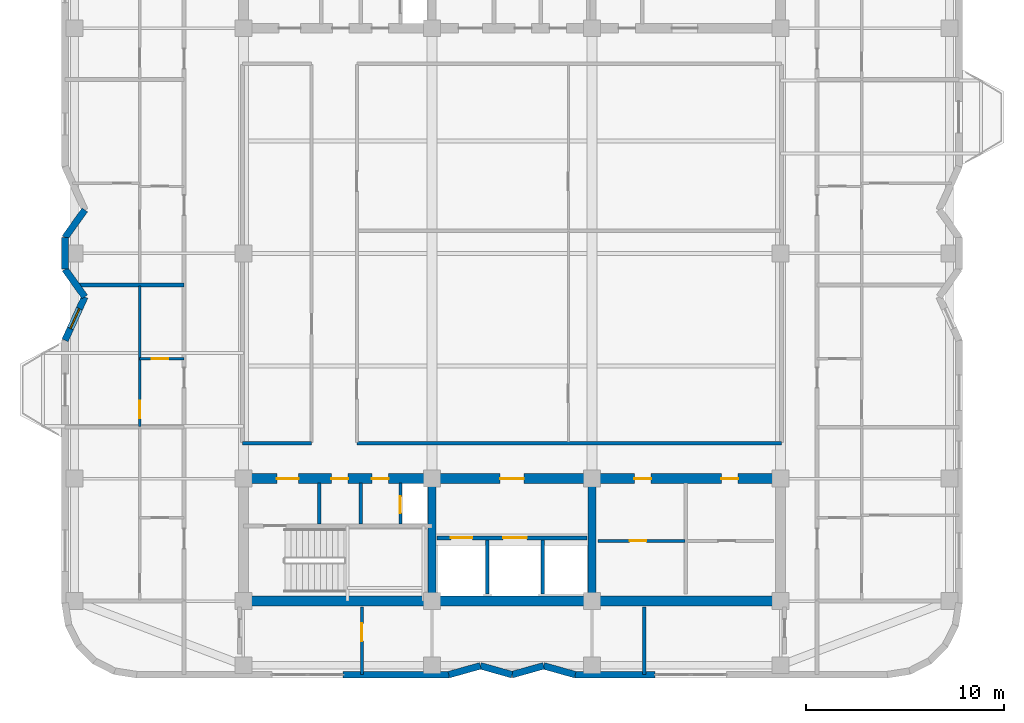
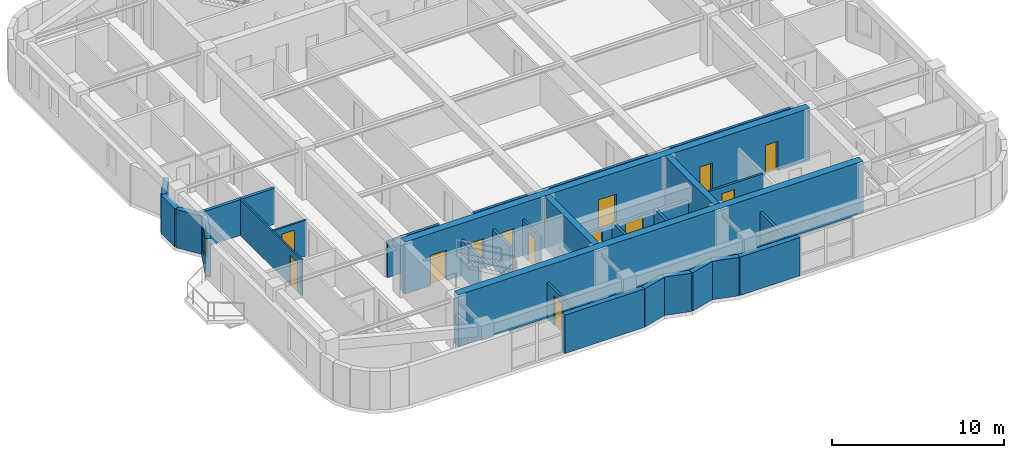
# One storey, part 8 of 14: 28 walls, 13 doors, 1 window, 14 openings.
"""IFC4 building model written with IfcOpenShell, lengths in metres."""

import ifcopenshell
import ifcopenshell.guid

model = None  # the IFC model being written
_history = None  # IfcOwnerHistory: only IFC2X3 demands one
_inside = {}  # id of a spatial element -> (the spatial element, [elements in it])
_under = {}  # id of a project, library or spatial element -> (it, [spatial elements below it])
_declared = {}  # id of a project -> (the project, [libraries it declares])
_typed = {}  # id of a type object -> (the type object, [elements of that type])
_made_of = {}  # id of a material, layer set ... -> (it, [elements and type objects made of it])


def new_model(schema):
    """Start an empty IFC model of exactly this schema.

    Asked for "IFC4X3", IfcOpenShell would pick the latest addendum, in which some entities
    have other attributes; the version numbers below select the first issue.
    IFC2X3 requires an IfcOwnerHistory on every rooted entity: one is made here for all.
    """
    global model, _history
    if schema == "IFC4X3":
        model = ifcopenshell.file(schema_version=(4, 3, 0, 0))
    else:
        model = ifcopenshell.file(schema=schema)
    _inside.clear()
    _under.clear()
    _declared.clear()
    _typed.clear()
    _made_of.clear()
    _history = None
    if model.schema == "IFC2X3":
        org = make("IfcOrganization", Name="unknown")
        user = make(
            "IfcPersonAndOrganization",
            ThePerson=make("IfcPerson", FamilyName="unknown"),
            TheOrganization=org,
        )
        app = make(
            "IfcApplication",
            ApplicationDeveloper=org,
            Version="unknown",
            ApplicationFullName="unknown",
            ApplicationIdentifier="unknown",
        )
        _history = make(
            "IfcOwnerHistory",
            OwningUser=user,
            OwningApplication=app,
            ChangeAction="ADDED",
            CreationDate=0,
        )
    return model


def make(cls, **values):
    """One entity of the class cls with the attributes given. An attribute that is None is left unset."""
    return model.create_entity(
        cls, **{name: value for name, value in values.items() if value is not None}
    )


def rooted(cls, **values):
    """An entity with a GlobalId (a new one), such as an element, a storey or a relation."""
    return make(cls, GlobalId=ifcopenshell.guid.new(), OwnerHistory=_history, **values)


def si_unit(unit_type, name, prefix=None):
    """IfcSIUnit, for example si_unit("LENGTHUNIT", "METRE", prefix="MILLI")."""
    return make("IfcSIUnit", UnitType=unit_type, Prefix=prefix, Name=name)


def assignment(units):
    """IfcUnitAssignment: the units of a project."""
    return None if units is None else make("IfcUnitAssignment", Units=units)


def point(xyz):
    """IfcCartesianPoint."""
    return None if xyz is None else make("IfcCartesianPoint", Coordinates=xyz)


def direction(xyz):
    """IfcDirection."""
    return None if xyz is None else make("IfcDirection", DirectionRatios=xyz)


def frame(location, z_axis=None, x_axis=None):
    """IfcAxis2Placement3D, a coordinate frame: its origin and axes. An axis left out is left unset."""
    return make(
        "IfcAxis2Placement3D",
        Location=point(location),
        Axis=direction(z_axis),
        RefDirection=direction(x_axis),
    )


def frame_2d(location, x_axis=None):
    """IfcAxis2Placement2D, a coordinate frame in the plane: its origin and x axis."""
    return make(
        "IfcAxis2Placement2D", Location=point(location), RefDirection=direction(x_axis)
    )


def origin():
    """The frame at (0, 0, 0) with its axes left unset."""
    return frame((0.0, 0.0, 0.0))


def place(relative_to, where):
    """IfcLocalPlacement: puts the frame where relative to a parent placement (None: the world)."""
    return make(
        "IfcLocalPlacement", PlacementRelTo=relative_to, RelativePlacement=where
    )


def context(
    kind, dimensions, precision=None, world=None, true_north=None, identifier=None
):
    """IfcGeometricRepresentationContext, for example the 3D "Model" context."""
    return make(
        "IfcGeometricRepresentationContext",
        ContextIdentifier=identifier,
        ContextType=kind,
        CoordinateSpaceDimension=dimensions,
        Precision=precision,
        WorldCoordinateSystem=world,
        TrueNorth=true_north,
    )


def subcontext(parent, identifier, kind, view, scale=None):
    """IfcGeometricRepresentationSubContext, for example "Body" below "Model"."""
    return make(
        "IfcGeometricRepresentationSubContext",
        ContextIdentifier=identifier,
        ContextType=kind,
        ParentContext=parent,
        TargetScale=scale,
        TargetView=view,
    )


def project(units=None, contexts=None):
    """IfcProject with its units and contexts."""
    return rooted(
        "IfcProject",
        Name="project",
        RepresentationContexts=contexts,
        UnitsInContext=assignment(units),
    )


def spatial(cls, under=None, at=None, **own):
    """A site, building, storey or space (cls), placed at a placement, below another one or the project."""
    s = rooted(cls, ObjectPlacement=at, **own)
    if under is not None:
        _under.setdefault(under.id(), (under, []))[1].append(s)
    return s


def profile(cls, at=None, kind="AREA", **sizes):
    """A parametric profile (cls). Its sizes go by their IFC names, for example OverallWidth=200.0."""
    return make(cls, ProfileType=kind, Position=at, **sizes)


def rectangle(**sizes):
    """IfcRectangleProfileDef."""
    return profile("IfcRectangleProfileDef", **sizes)


def extrude(swept, where, along, depth):
    """IfcExtrudedAreaSolid: the profile swept, set in the frame where, extruded along a direction by depth."""
    return make(
        "IfcExtrudedAreaSolid",
        SweptArea=swept,
        Position=where,
        ExtrudedDirection=direction(along),
        Depth=depth,
    )


def shape(context_of_items, identifier, shape_type, items):
    """IfcShapeRepresentation: the items that make up one representation, for example the "Body"."""
    return make(
        "IfcShapeRepresentation",
        ContextOfItems=context_of_items,
        RepresentationIdentifier=identifier,
        RepresentationType=shape_type,
        Items=items,
    )


def material(Name=None, Category=None):
    """IfcMaterial."""
    return make("IfcMaterial", Name=Name, Category=Category)


def layer(
    of_material, thickness, ventilated=None, Name=None, Category=None, Priority=None
):
    """IfcMaterialLayer: one layer of a wall or slab, of a material (None: an air gap)."""
    return make(
        "IfcMaterialLayer",
        Material=of_material,
        LayerThickness=thickness,
        IsVentilated=ventilated,
        Name=Name,
        Category=Category,
        Priority=Priority,
    )


def layer_set(layers, Name=None):
    """IfcMaterialLayerSet."""
    return make("IfcMaterialLayerSet", MaterialLayers=layers, LayerSetName=Name)


def made_of(thing, what):
    """Note that an element or type object is made of a material, layer set ...; save() writes the relation."""
    if what is not None:
        _made_of.setdefault(what.id(), (what, []))[1].append(thing)
    return thing


def type_object(cls, material=None, **own):
    """A type object (cls), such as IfcWallType, which elements share."""
    return made_of(rooted(cls, **own), material)


def element(
    cls,
    number,
    at=None,
    inside=None,
    cuts=None,
    type_object=None,
    material=None,
    context=None,
    identifier="Body",
    shape_type=None,
    held_by="IfcProductDefinitionShape",
    body=None,
    shapes=None,
    **own,
):
    """One element of the class cls, such as IfcWall. Its Tag is "e" and its number.

    at: its placement. inside: the storey or other place that contains it. cuts: it is an
    opening in that element (IfcRelVoidsElement). A single representation is given by context,
    identifier, shape_type and body (its items); several are given by shapes. held_by: the class
    of the entity that holds the representations. save() writes the other relations.
    """
    e = rooted(cls, Tag="e%d" % number, ObjectPlacement=at, **own)
    if body is not None:
        shapes = [shape(context, identifier, shape_type, body)]
    if shapes is not None:
        e.Representation = make(held_by, Representations=shapes)
    if inside is not None:
        _inside.setdefault(inside.id(), (inside, []))[1].append(e)
    if cuts is not None:
        rooted(
            "IfcRelVoidsElement", RelatingBuildingElement=cuts, RelatedOpeningElement=e
        )
    if type_object is not None:
        _typed.setdefault(type_object.id(), (type_object, []))[1].append(e)
    return made_of(e, material)


def fill(opening, filler):
    """IfcRelFillsElement: the door or window that sits in an opening."""
    return rooted(
        "IfcRelFillsElement",
        RelatingOpeningElement=opening,
        RelatedBuildingElement=filler,
    )


def aggregate(whole, parts):
    """IfcRelAggregates: a whole, such as a stair, and the parts it consists of."""
    return rooted("IfcRelAggregates", RelatingObject=whole, RelatedObjects=parts)


def save(model, path):
    """Write the relations noted so far, then the file.

    IfcRelAggregates (storeys below a building ...), IfcRelContainedInSpatialStructure (elements
    in a storey), IfcRelDefinesByType, IfcRelAssociatesMaterial and IfcRelDeclares: one each for
    every whole, place, type object, material and project.
    """
    for whole, parts in _under.values():
        aggregate(whole, parts)
    for where, things in _inside.values():
        rooted(
            "IfcRelContainedInSpatialStructure",
            RelatedElements=things,
            RelatingStructure=where,
        )
    for kind, things in _typed.values():
        rooted("IfcRelDefinesByType", RelatedObjects=things, RelatingType=kind)
    for what, things in _made_of.values():
        rooted("IfcRelAssociatesMaterial", RelatedObjects=things, RelatingMaterial=what)
    for by, libraries in _declared.values():
        rooted("IfcRelDeclares", RelatingContext=by, RelatedDefinitions=libraries)
    model.write(path)


model = new_model("IFC4")

# Units and contexts
model_context = context("Model", 3, precision=1e-05, world=origin(), true_north=direction((0.0, 1.0)))
body_context = subcontext(model_context, "Body", "Model", "MODEL_VIEW")
ifc_project = project(units=[si_unit("LENGTHUNIT", "METRE"), si_unit("AREAUNIT", "SQUARE_METRE"), si_unit("VOLUMEUNIT", "CUBIC_METRE"), si_unit("PLANEANGLEUNIT", "RADIAN"), si_unit("MASSUNIT", "GRAM", prefix="KILO")], contexts=[model_context])

# Site, building, storey
site_placement = place(None, origin())
site = spatial("IfcSite", under=ifc_project, at=site_placement, CompositionType="ELEMENT")
building_placement = place(site_placement, origin())
building = spatial("IfcBuilding", under=site, at=building_placement, Name="Svetorya Sky Lyceum", CompositionType="ELEMENT")
storey_placement = place(building_placement, frame((0.0, 0.0, 218.39990234375)))
storey = spatial("IfcBuildingStorey", under=building, at=storey_placement, Name="L54", CompositionType="ELEMENT", Elevation=218.39990234375)

# Walls
ifc_material_1 = material(Name="Concrete C40/50", Category="concrete")
ifc_layer_1 = layer(ifc_material_1, 0.39990234375)
ifc_layer_set_1 = layer_set([ifc_layer_1], Name="Concrete C40/50")
wall_type_1 = type_object("IfcWallType", Name="WL-CORE-400", PredefinedType="SHEAR", material=ifc_layer_set_1)
for number, where, z_axis, x_axis, name in (
    (1, (35.14990234375, 10.85009765625, 0.0), (0.0, 0.0, 1.0), (0.0, 1.0, 0.0), "L54 SC Internal Shear Web WEB1"),
    (2, (43.25, 10.85009765625, 0.0), (0.0, 0.0, 1.0), (0.0, 1.0, 0.0), "L54 SC Internal Shear Web WEB2"),
):
    element("IfcWall", number, at=place(storey_placement, frame(where, z_axis=z_axis, x_axis=x_axis)), inside=storey, type_object=wall_type_1, Name=name, PredefinedType="SHEAR", context=body_context, shape_type="SweptSolid", body=[
        extrude(rectangle(XDim=5.699951171875, YDim=0.39990234375, at=frame_2d((2.85009765625, 0.0))), origin(), (0.0, 0.0, 1.0), 3.7001953125),
    ])
ifc_material_2 = material(Name="Concrete C50/60", Category="concrete")
ifc_layer_2 = layer(ifc_material_2, 0.5)
ifc_layer_set_2 = layer_set([ifc_layer_2], Name="Concrete C50/60")
wall_type_2 = type_object("IfcWallType", Name="WL-CORE-500", PredefinedType="SHEAR", material=ifc_layer_set_2)
wall_1_placement = place(storey_placement, frame((52.800048828125, 10.60009765625, 0.0), z_axis=(0.0, 0.0, 1.0), x_axis=(-1.0, 0.0, 0.0)))
element("IfcWall", 3, at=wall_1_placement, inside=storey, type_object=wall_type_2, Name="L54 SC Outer Core Shear Wall", PredefinedType="SHEAR", context=body_context, shape_type="SweptSolid", body=[
    extrude(rectangle(XDim=27.199951171875, YDim=0.5, at=frame_2d((13.60009765625, 0.0))), origin(), (0.0, 0.0, 1.0), 3.7001953125),
])

# Wall, openings, doors
wall_2_placement = place(storey_placement, frame((25.60009765625, 16.800048828125, 0.0), z_axis=(0.0, 0.0, 1.0), x_axis=(1.0, 0.0, 0.0)))
wall_2 = element("IfcWall", 4, at=wall_2_placement, inside=storey, type_object=wall_type_2, Name="L54 SC Inner Core Shear Wall", PredefinedType="SHEAR", context=body_context, shape_type="SweptSolid", body=[
    extrude(rectangle(XDim=27.199951171875, YDim=0.5, at=frame_2d((13.60009765625, 0.0))), origin(), (0.0, 0.0, 1.0), 3.7001953125),
])
opening_1_placement = place(wall_2_placement, frame((1.699951171875, 0.0, 0.0)))
opening_1 = element("IfcOpeningElement", 5, at=opening_1_placement, cuts=wall_2, Name="Opening D-ST1", PredefinedType="OPENING", context=body_context, shape_type="SweptSolid", body=[
    extrude(rectangle(XDim=1.10009765625, YDim=2.14990234375, at=frame_2d((0.550048828125, 1.074951171875))), frame((0.0, 0.260009765625, 0.0), z_axis=(0.0, -1.0, 0.0), x_axis=(1.0, 0.0, 0.0)), (0.0, 0.0, 1.0), 0.52001953125),
])
opening_2_placement = place(wall_2_placement, frame((4.449951171875, 0.0, 0.0)))
opening_2 = element("IfcOpeningElement", 6, at=opening_2_placement, cuts=wall_2, Name="Opening D-CWC1", PredefinedType="OPENING", context=body_context, shape_type="SweptSolid", body=[
    extrude(rectangle(XDim=0.85009765625, YDim=2.10009765625, at=frame_2d((0.425048828125, 1.050048828125))), frame((0.0, 0.260009765625, 0.0), z_axis=(0.0, -1.0, 0.0), x_axis=(1.0, 0.0, 0.0)), (0.0, 0.0, 1.0), 0.52001953125),
])
opening_3_placement = place(wall_2_placement, frame((6.5, 0.0, 0.0)))
opening_3 = element("IfcOpeningElement", 7, at=opening_3_placement, cuts=wall_2, Name="Opening D-CWC1", PredefinedType="OPENING", context=body_context, shape_type="SweptSolid", body=[
    extrude(rectangle(XDim=0.85009765625, YDim=2.10009765625, at=frame_2d((0.425048828125, 1.050048828125))), frame((0.0, 0.260009765625, 0.0), z_axis=(0.0, -1.0, 0.0), x_axis=(1.0, 0.0, 0.0)), (0.0, 0.0, 1.0), 0.52001953125),
])
opening_4_placement = place(wall_2_placement, frame((13.0, 0.0, 0.0)))
opening_4 = element("IfcOpeningElement", 8, at=opening_4_placement, cuts=wall_2, Name="Opening D-FL1", PredefinedType="OPENING", context=body_context, shape_type="SweptSolid", body=[
    extrude(rectangle(XDim=1.199951171875, YDim=2.14990234375, at=frame_2d((0.60009765625, 1.074951171875))), frame((0.0, 0.260009765625, 0.0), z_axis=(0.0, -1.0, 0.0), x_axis=(1.0, 0.0, 0.0)), (0.0, 0.0, 1.0), 0.52001953125),
])
opening_5_placement = place(wall_2_placement, frame((19.800048828125, 0.0, 0.0)))
opening_5 = element("IfcOpeningElement", 9, at=opening_5_placement, cuts=wall_2, Name="Opening D-CWC1", PredefinedType="OPENING", context=body_context, shape_type="SweptSolid", body=[
    extrude(rectangle(XDim=0.85009765625, YDim=2.10009765625, at=frame_2d((0.425048828125, 1.050048828125))), frame((0.0, 0.260009765625, 0.0), z_axis=(0.0, -1.0, 0.0), x_axis=(1.0, 0.0, 0.0)), (0.0, 0.0, 1.0), 0.52001953125),
])
opening_6_placement = place(wall_2_placement, frame((24.199951171875, 0.0, 0.0)))
opening_6 = element("IfcOpeningElement", 10, at=opening_6_placement, cuts=wall_2, Name="Opening D-CWC1", PredefinedType="OPENING", context=body_context, shape_type="SweptSolid", body=[
    extrude(rectangle(XDim=0.85009765625, YDim=2.10009765625, at=frame_2d((0.425048828125, 1.050048828125))), frame((0.0, 0.260009765625, 0.0), z_axis=(0.0, -1.0, 0.0), x_axis=(1.0, 0.0, 0.0)), (0.0, 0.0, 1.0), 0.52001953125),
])
ifc_material_3 = material(Name="Fire-rated galvanized steel core service closet door", Category="steel")
door_type_1 = type_object("IfcDoorType", Name="DR-CWET-850", OperationType="SINGLE_SWING_LEFT", PredefinedType="DOOR", material=ifc_material_3)
door_1_placement = place(opening_2_placement, origin())
door_1 = element("IfcDoor", 11, at=door_1_placement, inside=storey, type_object=door_type_1, Name="L54 South Mop Closet Door", OperationType="SINGLE_SWING_LEFT", OverallHeight=2.10009765625, OverallWidth=0.85009765625, PredefinedType="DOOR", context=body_context, shape_type="SweptSolid", body=[
    extrude(rectangle(XDim=0.85009765625, YDim=2.10009765625, at=frame_2d((0.425048828125, 1.050048828125))), frame((0.0, 0.02490234375, 0.0), z_axis=(0.0, -1.0, 0.0), x_axis=(1.0, 0.0, 0.0)), (0.0, 0.0, 1.0), 0.050048828125),
])
fill(opening_2, door_1)
door_2_placement = place(opening_3_placement, origin())
door_2 = element("IfcDoor", 12, at=door_2_placement, inside=storey, type_object=door_type_1, Name="L54 South West WC Door", OperationType="SINGLE_SWING_RIGHT", OverallHeight=2.10009765625, OverallWidth=0.85009765625, PredefinedType="DOOR", context=body_context, shape_type="SweptSolid", body=[
    extrude(rectangle(XDim=0.85009765625, YDim=2.10009765625, at=frame_2d((0.425048828125, 1.050048828125))), frame((0.0, 0.02490234375, 0.0), z_axis=(0.0, -1.0, 0.0), x_axis=(1.0, 0.0, 0.0)), (0.0, 0.0, 1.0), 0.050048828125),
])
fill(opening_3, door_2)
door_3_placement = place(opening_5_placement, origin())
door_3 = element("IfcDoor", 13, at=door_3_placement, inside=storey, type_object=door_type_1, Name="L54 Housekeeping Door", OperationType="SINGLE_SWING_LEFT", OverallHeight=2.10009765625, OverallWidth=0.85009765625, PredefinedType="DOOR", context=body_context, shape_type="SweptSolid", body=[
    extrude(rectangle(XDim=0.85009765625, YDim=2.10009765625, at=frame_2d((0.425048828125, 1.050048828125))), frame((0.0, 0.02490234375, 0.0), z_axis=(0.0, -1.0, 0.0), x_axis=(1.0, 0.0, 0.0)), (0.0, 0.0, 1.0), 0.050048828125),
])
fill(opening_5, door_3)
door_4_placement = place(opening_6_placement, origin())
door_4 = element("IfcDoor", 14, at=door_4_placement, inside=storey, type_object=door_type_1, Name="L54 South WC Door", OperationType="SINGLE_SWING_RIGHT", OverallHeight=2.10009765625, OverallWidth=0.85009765625, PredefinedType="DOOR", context=body_context, shape_type="SweptSolid", body=[
    extrude(rectangle(XDim=0.85009765625, YDim=2.10009765625, at=frame_2d((0.425048828125, 1.050048828125))), frame((0.0, 0.02490234375, 0.0), z_axis=(0.0, -1.0, 0.0), x_axis=(1.0, 0.0, 0.0)), (0.0, 0.0, 1.0), 0.050048828125),
])
fill(opening_6, door_4)
ifc_material_4 = material(Name="Powder-coated insulated galvanized stair fire door")
door_type_2 = type_object("IfcDoorType", Name="DR-FIRE-1100", OperationType="SINGLE_SWING_LEFT", PredefinedType="DOOR", material=ifc_material_4)
door_5_placement = place(opening_1_placement, origin())
door_5 = element("IfcDoor", 15, at=door_5_placement, inside=storey, type_object=door_type_2, Name="L54 South Stair Airlock Door", OperationType="SINGLE_SWING_RIGHT", OverallHeight=2.14990234375, OverallWidth=1.10009765625, PredefinedType="DOOR", context=body_context, shape_type="SweptSolid", body=[
    extrude(rectangle(XDim=1.10009765625, YDim=2.14990234375, at=frame_2d((0.550048828125, 1.074951171875))), frame((0.0, 0.02490234375, 0.0), z_axis=(0.0, -1.0, 0.0), x_axis=(1.0, 0.0, 0.0)), (0.0, 0.0, 1.0), 0.050048828125),
])
fill(opening_1, door_5)
ifc_material_5 = material(Name="Powder-coated insulated galvanized fire door")
door_type_3 = type_object("IfcDoorType", Name="DR-FIRE-1200", OperationType="SINGLE_SWING_LEFT", PredefinedType="DOOR", material=ifc_material_5)
door_6_placement = place(opening_4_placement, origin())
door_6 = element("IfcDoor", 16, at=door_6_placement, inside=storey, type_object=door_type_3, Name="L54 South Firefighting Lift Lobby Door", OperationType="SINGLE_SWING_LEFT", OverallHeight=2.14990234375, OverallWidth=1.199951171875, PredefinedType="DOOR", context=body_context, shape_type="SweptSolid", body=[
    extrude(rectangle(XDim=1.199951171875, YDim=2.14990234375, at=frame_2d((0.60009765625, 1.074951171875))), frame((0.0, 0.02490234375, 0.0), z_axis=(0.0, -1.0, 0.0), x_axis=(1.0, 0.0, 0.0)), (0.0, 0.0, 1.0), 0.050048828125),
])
fill(opening_4, door_6)

# Walls
ifc_material_6 = material(Name="Putilovo limestone rainscreen on autoclaved cellular masonry", Category="masonry")
ifc_layer_3 = layer(ifc_material_6, 0.340087890625)
ifc_layer_set_3 = layer_set([ifc_layer_3], Name="Putilovo limestone rainscreen on autoclaved cellular masonry")
wall_type_3 = type_object("IfcWallType", Name="WL-EXT-340", PredefinedType="SOLIDWALL", material=ifc_layer_set_3)
wall_3_placement = place(storey_placement, frame((30.64990234375, 6.8701171875, 0.0), z_axis=(0.0, 0.0, 1.0), x_axis=(1.0, 0.0, 0.0)))
element("IfcWall", 17, at=wall_3_placement, inside=storey, type_object=wall_type_3, Name="L54 Limestone Exterior Wall 6B", PredefinedType="SOLIDWALL", context=body_context, shape_type="SweptSolid", body=[
    extrude(rectangle(XDim=5.35009765625, YDim=0.340087890625, at=frame_2d((2.675048828125, 0.0))), origin(), (0.0, 0.0, 1.0), 2.72021484375),
])
wall_4_placement = place(storey_placement, frame((36.0, 6.8701171875, 0.0), z_axis=(0.0, 0.0, 1.0), x_axis=(0.962662902433, 0.270703040766, 0.0)))
element("IfcWall", 18, at=wall_4_placement, inside=storey, type_object=wall_type_3, Name="L54 Limestone Exterior Wall 7M", PredefinedType="SOLIDWALL", context=body_context, shape_type="SweptSolid", body=[
    extrude(rectangle(XDim=1.662109375, YDim=0.340087890625, at=frame_2d((0.8310546875, 0.0))), origin(), (0.0, 0.0, 1.0), 2.72021484375),
])
wall_5_placement = place(storey_placement, frame((37.60009765625, 7.320068359375, 0.0), z_axis=(0.0, 0.0, 1.0), x_axis=(0.962652136636, -0.270741322725, 0.0)))
element("IfcWall", 19, at=wall_5_placement, inside=storey, type_object=wall_type_3, Name="L54 Limestone Exterior Wall 8M", PredefinedType="SOLIDWALL", context=body_context, shape_type="SweptSolid", body=[
    extrude(rectangle(XDim=1.661865234375, YDim=0.340087890625, at=frame_2d((0.8310546875, 0.0))), origin(), (0.0, 0.0, 1.0), 2.72021484375),
])
wall_6_placement = place(storey_placement, frame((39.199951171875, 6.8701171875, 0.0), z_axis=(0.0, 0.0, 1.0), x_axis=(0.962662902433, 0.270703040766, 0.0)))
element("IfcWall", 20, at=wall_6_placement, inside=storey, type_object=wall_type_3, Name="L54 Limestone Exterior Wall 9M", PredefinedType="SOLIDWALL", context=body_context, shape_type="SweptSolid", body=[
    extrude(rectangle(XDim=1.662109375, YDim=0.340087890625, at=frame_2d((0.8310546875, 0.0))), origin(), (0.0, 0.0, 1.0), 2.72021484375),
])
wall_7_placement = place(storey_placement, frame((40.800048828125, 7.320068359375, 0.0), z_axis=(0.0, 0.0, 1.0), x_axis=(0.962652136636, -0.270741322725, 0.0)))
element("IfcWall", 21, at=wall_7_placement, inside=storey, type_object=wall_type_3, Name="L54 Limestone Exterior Wall 10M", PredefinedType="SOLIDWALL", context=body_context, shape_type="SweptSolid", body=[
    extrude(rectangle(XDim=1.661865234375, YDim=0.340087890625, at=frame_2d((0.8310546875, 0.0))), origin(), (0.0, 0.0, 1.0), 2.72021484375),
])
wall_8_placement = place(storey_placement, frame((42.39990234375, 6.8701171875, 0.0), z_axis=(0.0, 0.0, 1.0), x_axis=(1.0, 0.0, 0.0)))
element("IfcWall", 22, at=wall_8_placement, inside=storey, type_object=wall_type_3, Name="L54 Limestone Exterior Wall 11A", PredefinedType="SOLIDWALL", context=body_context, shape_type="SweptSolid", body=[
    extrude(rectangle(XDim=4.050048828125, YDim=0.340087890625, at=frame_2d((2.02490234375, 0.0))), origin(), (0.0, 0.0, 1.0), 2.72021484375),
])
wall_9_placement = place(storey_placement, frame((17.570068359375, 30.39990234375, 0.0), z_axis=(0.0, 0.0, 1.0), x_axis=(-0.581265041318, -0.813714293681, 0.0)))
element("IfcWall", 23, at=wall_9_placement, inside=storey, type_object=wall_type_3, Name="L54 Limestone Exterior Wall 42M", PredefinedType="SOLIDWALL", context=body_context, shape_type="SweptSolid", body=[
    extrude(rectangle(XDim=1.720458984375, YDim=0.340087890625, at=frame_2d((0.8603515625, 0.0))), origin(), (0.0, 0.0, 1.0), 2.72021484375),
])
wall_10_placement = place(storey_placement, frame((16.570068359375, 29.0, 0.0), z_axis=(0.0, 0.0, 1.0), x_axis=(0.0, -1.0, 0.0)))
element("IfcWall", 24, at=wall_10_placement, inside=storey, type_object=wall_type_3, Name="L54 Limestone Exterior Wall 43M", PredefinedType="SOLIDWALL", context=body_context, shape_type="SweptSolid", body=[
    extrude(rectangle(XDim=1.60009765625, YDim=0.340087890625, at=frame_2d((0.800048828125, 0.0))), origin(), (0.0, 0.0, 1.0), 2.72021484375),
])
wall_11_placement = place(storey_placement, frame((16.570068359375, 27.39990234375, 0.0), z_axis=(0.0, 0.0, 1.0), x_axis=(0.581265041318, -0.813714293681, 0.0)))
element("IfcWall", 25, at=wall_11_placement, inside=storey, type_object=wall_type_3, Name="L54 Limestone Exterior Wall 44M", PredefinedType="SOLIDWALL", context=body_context, shape_type="SweptSolid", body=[
    extrude(rectangle(XDim=1.720458984375, YDim=0.340087890625, at=frame_2d((0.8603515625, 0.0))), origin(), (0.0, 0.0, 1.0), 2.72021484375),
])

# Wall, opening, window
wall_12_placement = place(storey_placement, frame((17.570068359375, 26.0, 0.0), z_axis=(0.0, 0.0, 1.0), x_axis=(-0.413810555983, -0.910363017569, 0.0)))
wall_12 = element("IfcWall", 26, at=wall_12_placement, inside=storey, type_object=wall_type_3, Name="L54 Limestone Exterior Wall 45M", PredefinedType="SOLIDWALL", context=body_context, shape_type="SweptSolid", body=[
    extrude(rectangle(XDim=2.41650390625, YDim=0.340087890625, at=frame_2d((1.208251953125, 0.0))), origin(), (0.0, 0.0, 1.0), 2.72021484375),
])
opening_7_placement = place(wall_12_placement, frame((0.658203125, 0.0, 0.909912109375)))
opening_7 = element("IfcOpeningElement", 27, at=opening_7_placement, cuts=wall_12, Name="Opening W-R3", PredefinedType="OPENING", context=body_context, shape_type="SweptSolid", body=[
    extrude(rectangle(XDim=1.10009765625, YDim=1.64990234375, at=frame_2d((0.550048828125, 0.824951171875))), frame((0.0, 0.179931640625, 0.0), z_axis=(0.0, -1.0, 0.0), x_axis=(1.0, 0.0, 0.0)), (0.0, 0.0, 1.0), 0.360107421875),
])
ifc_material_7 = material(Name="Thermally broken aluminium frame with triple low-E glazing", Category="aluminium")
window_type = type_object("IfcWindowType", Name="WN-RES-110", PartitioningType="SINGLE_PANEL", PredefinedType="WINDOW", material=ifc_material_7)
window_placement = place(opening_7_placement, origin())
window = element("IfcWindow", 28, at=window_placement, inside=storey, type_object=window_type, Name="L54 Facade Window W-R3.45M.1", OverallHeight=1.64990234375, OverallWidth=1.10009765625, PartitioningType="SINGLE_PANEL", PredefinedType="WINDOW", context=body_context, shape_type="SweptSolid", body=[
    extrude(rectangle(XDim=1.10009765625, YDim=1.64990234375, at=frame_2d((0.550048828125, 0.824951171875))), frame((0.0, 0.030029296875, 0.0), z_axis=(0.0, -1.0, 0.0), x_axis=(1.0, 0.0, 0.0)), (0.0, 0.0, 1.0), 0.06005859375),
])
fill(opening_7, window)

# Wall, opening, door
ifc_material_8 = material(Name="Twin-stud galvanized framing with double fireboard", Category="gypsum")
ifc_layer_4 = layer(ifc_material_8, 0.1201171875)
ifc_layer_set_4 = layer_set([ifc_layer_4], Name="Twin-stud galvanized framing with double fireboard")
wall_type_4 = type_object("IfcWallType", Name="WL-PART-120", PredefinedType="PARTITIONING", material=ifc_layer_set_4)
wall_13_placement = place(storey_placement, frame((20.35009765625, 22.860107421875, 0.0), z_axis=(0.0, 0.0, 1.0), x_axis=(1.0, 0.0, 0.0)))
wall_13 = element("IfcWall", 29, at=wall_13_placement, inside=storey, type_object=wall_type_4, Name="L54 Interior Partition W2-WH1", PredefinedType="PARTITIONING", context=body_context, shape_type="SweptSolid", body=[
    extrude(rectangle(XDim=2.25, YDim=0.1201171875, at=frame_2d((1.125, 0.0))), origin(), (0.0, 0.0, 1.0), 2.550048828125),
])
opening_8_placement = place(wall_13_placement, frame((0.60009765625, 0.0, 0.0)))
opening_8 = element("IfcOpeningElement", 30, at=opening_8_placement, cuts=wall_13, Name="Opening D-BT1", PredefinedType="OPENING", context=body_context, shape_type="SweptSolid", body=[
    extrude(rectangle(XDim=0.85009765625, YDim=2.10009765625, at=frame_2d((0.425048828125, 1.050048828125))), frame((0.0, 0.070068359375, 0.0), z_axis=(0.0, -1.0, 0.0), x_axis=(1.0, 0.0, 0.0)), (0.0, 0.0, 1.0), 0.14013671875),
])
ifc_material_9 = material(Name="Moisture-resistant laminate bathroom door")
door_type_4 = type_object("IfcDoorType", Name="DR-WET-850", OperationType="SINGLE_SWING_LEFT", PredefinedType="DOOR", material=ifc_material_9)
door_7_placement = place(opening_8_placement, origin())
door_7 = element("IfcDoor", 31, at=door_7_placement, inside=storey, type_object=door_type_4, Name="Apartment W2 Bathroom Door", OperationType="SINGLE_SWING_RIGHT", OverallHeight=2.10009765625, OverallWidth=0.85009765625, PredefinedType="DOOR", context=body_context, shape_type="SweptSolid", body=[
    extrude(rectangle(XDim=0.85009765625, YDim=2.10009765625, at=frame_2d((0.425048828125, 1.050048828125))), frame((0.0, 0.02490234375, 0.0), z_axis=(0.0, -1.0, 0.0), x_axis=(1.0, 0.0, 0.0)), (0.0, 0.0, 1.0), 0.050048828125),
])
fill(opening_8, door_7)

wall_14_placement = place(storey_placement, frame((20.35009765625, 19.43994140625, 0.0), z_axis=(0.0, 0.0, 1.0), x_axis=(0.0, 1.0, 0.0)))
wall_14 = element("IfcWall", 32, at=wall_14_placement, inside=storey, type_object=wall_type_4, Name="L54 Interior Partition W2-WV", PredefinedType="PARTITIONING", context=body_context, shape_type="SweptSolid", body=[
    extrude(rectangle(XDim=7.1201171875, YDim=0.1201171875, at=frame_2d((3.56005859375, 0.0))), origin(), (0.0, 0.0, 1.0), 2.550048828125),
])
opening_9_placement = place(wall_14_placement, frame((0.409912109375, 0.0, 0.0)))
opening_9 = element("IfcOpeningElement", 33, at=opening_9_placement, cuts=wall_14, Name="Opening D-RM1", PredefinedType="OPENING", context=body_context, shape_type="SweptSolid", body=[
    extrude(rectangle(XDim=0.89990234375, YDim=2.10009765625, at=frame_2d((0.449951171875, 1.050048828125))), frame((0.0, 0.070068359375, 0.0), z_axis=(0.0, -1.0, 0.0), x_axis=(1.0, 0.0, 0.0)), (0.0, 0.0, 1.0), 0.14013671875),
])
ifc_material_10 = material(Name="Lacquered birch veneer internal door")
door_type_5 = type_object("IfcDoorType", Name="DR-INT-900", OperationType="SINGLE_SWING_LEFT", PredefinedType="DOOR", material=ifc_material_10)
door_8_placement = place(opening_9_placement, origin())
door_8 = element("IfcDoor", 34, at=door_8_placement, inside=storey, type_object=door_type_5, Name="Apartment W2 Living Door", OperationType="SINGLE_SWING_LEFT", OverallHeight=2.10009765625, OverallWidth=0.89990234375, PredefinedType="DOOR", context=body_context, shape_type="SweptSolid", body=[
    extrude(rectangle(XDim=0.89990234375, YDim=2.10009765625, at=frame_2d((0.449951171875, 1.050048828125))), frame((0.0, 0.02490234375, 0.0), z_axis=(0.0, -1.0, 0.0), x_axis=(1.0, 0.0, 0.0)), (0.0, 0.0, 1.0), 0.050048828125),
])
fill(opening_9, door_8)

ifc_material_11 = material(Name="Autoclaved cellular masonry blockwork with acoustic render", Category="masonry")
ifc_layer_5 = layer(ifc_material_11, 0.14990234375)
ifc_layer_set_5 = layer_set([ifc_layer_5], Name="Autoclaved cellular masonry blockwork with acoustic render")
wall_type_5 = type_object("IfcWallType", Name="WL-PART-150", PredefinedType="PARTITIONING", material=ifc_layer_set_5)
wall_15_placement = place(storey_placement, frame((33.550048828125, 14.5, 0.0), z_axis=(0.0, 0.0, 1.0), x_axis=(0.0, 1.0, 0.0)))
wall_15 = element("IfcWall", 35, at=wall_15_placement, inside=storey, type_object=wall_type_5, Name="L54 Interior Partition SC-SWD3", PredefinedType="PARTITIONING", context=body_context, shape_type="SweptSolid", body=[
    extrude(rectangle(XDim=2.080078125, YDim=0.14990234375, at=frame_2d((1.0400390625, 0.0))), origin(), (0.0, 0.0, 1.0), 2.550048828125),
])
opening_10_placement = place(wall_15_placement, frame((0.550048828125, 0.0, 0.0)))
opening_10 = element("IfcOpeningElement", 36, at=opening_10_placement, cuts=wall_15, Name="Opening D-SH1", PredefinedType="OPENING", context=body_context, shape_type="SweptSolid", body=[
    extrude(rectangle(XDim=0.85009765625, YDim=2.050048828125, at=frame_2d((0.425048828125, 1.02490234375))), frame((0.0, 0.0849609375, 0.0), z_axis=(0.0, -1.0, 0.0), x_axis=(1.0, 0.0, 0.0)), (0.0, 0.0, 1.0), 0.169921875),
])
ifc_material_12 = material(Name="Insulated galvanized riser inspection fire door")
door_type_6 = type_object("IfcDoorType", Name="DR-SHFT-850", OperationType="SINGLE_SWING_LEFT", PredefinedType="TRAPDOOR", material=ifc_material_12)
door_9_placement = place(opening_10_placement, origin())
door_9 = element("IfcDoor", 37, at=door_9_placement, inside=storey, type_object=door_type_6, Name="L54 South Riser Access Door", OperationType="SINGLE_SWING_RIGHT", OverallHeight=2.050048828125, OverallWidth=0.85009765625, PredefinedType="TRAPDOOR", context=body_context, shape_type="SweptSolid", body=[
    extrude(rectangle(XDim=0.85009765625, YDim=2.050048828125, at=frame_2d((0.425048828125, 1.02490234375))), frame((0.0, 0.02490234375, 0.0), z_axis=(0.0, -1.0, 0.0), x_axis=(1.0, 0.0, 0.0)), (0.0, 0.0, 1.0), 0.050048828125),
])
fill(opening_10, door_9)

wall_16_placement = place(storey_placement, frame((43.550048828125, 13.64990234375, 0.0), z_axis=(0.0, 0.0, 1.0), x_axis=(1.0, 0.0, 0.0)))
wall_16 = element("IfcWall", 38, at=wall_16_placement, inside=storey, type_object=wall_type_5, Name="L54 Interior Partition SC-LV7-HW", PredefinedType="PARTITIONING", context=body_context, shape_type="SweptSolid", body=[
    extrude(rectangle(XDim=4.39990234375, YDim=0.14990234375, at=frame_2d((2.199951171875, 0.0))), origin(), (0.0, 0.0, 1.0), 2.550048828125),
])
opening_11_placement = place(wall_16_placement, frame((1.60009765625, 0.0, 0.0)))
opening_11 = element("IfcOpeningElement", 39, at=opening_11_placement, cuts=wall_16, Name="Opening D-CWC1", PredefinedType="OPENING", context=body_context, shape_type="SweptSolid", body=[
    extrude(rectangle(XDim=0.85009765625, YDim=2.10009765625, at=frame_2d((0.425048828125, 1.050048828125))), frame((0.0, 0.0849609375, 0.0), z_axis=(0.0, -1.0, 0.0), x_axis=(1.0, 0.0, 0.0)), (0.0, 0.0, 1.0), 0.169921875),
])
door_10_placement = place(opening_11_placement, origin())
door_10 = element("IfcDoor", 40, at=door_10_placement, inside=storey, type_object=door_type_1, Name="L54 South Electrical Room Door", OperationType="SINGLE_SWING_LEFT", OverallHeight=2.10009765625, OverallWidth=0.85009765625, PredefinedType="DOOR", context=body_context, shape_type="SweptSolid", body=[
    extrude(rectangle(XDim=0.85009765625, YDim=2.10009765625, at=frame_2d((0.425048828125, 1.050048828125))), frame((0.0, 0.02490234375, 0.0), z_axis=(0.0, -1.0, 0.0), x_axis=(1.0, 0.0, 0.0)), (0.0, 0.0, 1.0), 0.050048828125),
])
fill(opening_11, door_10)

wall_17_placement = place(storey_placement, frame((31.60009765625, 6.8701171875, 0.0), z_axis=(0.0, 0.0, 1.0), x_axis=(0.0, 1.0, 0.0)))
wall_17 = element("IfcWall", 41, at=wall_17_placement, inside=storey, type_object=wall_type_5, Name="L54 Interior Partition S-D1", PredefinedType="PARTITIONING", context=body_context, shape_type="SweptSolid", body=[
    extrude(rectangle(XDim=3.429931640625, YDim=0.14990234375, at=frame_2d((1.71484375, 0.0))), origin(), (0.0, 0.0, 1.0), 2.550048828125),
])
opening_12_placement = place(wall_17_placement, frame((1.699951171875, 0.0, 0.0)))
opening_12 = element("IfcOpeningElement", 42, at=opening_12_placement, cuts=wall_17, Name="Opening D-RM1", PredefinedType="OPENING", context=body_context, shape_type="SweptSolid", body=[
    extrude(rectangle(XDim=0.89990234375, YDim=2.10009765625, at=frame_2d((0.449951171875, 1.050048828125))), frame((0.0, 0.0849609375, 0.0), z_axis=(0.0, -1.0, 0.0), x_axis=(1.0, 0.0, 0.0)), (0.0, 0.0, 1.0), 0.169921875),
])
door_11_placement = place(opening_12_placement, origin())
door_11 = element("IfcDoor", 43, at=door_11_placement, inside=storey, type_object=door_type_5, Name="L54 South Store Door", OperationType="SINGLE_SWING_LEFT", OverallHeight=2.10009765625, OverallWidth=0.89990234375, PredefinedType="DOOR", context=body_context, shape_type="SweptSolid", body=[
    extrude(rectangle(XDim=0.89990234375, YDim=2.10009765625, at=frame_2d((0.449951171875, 1.050048828125))), frame((0.0, 0.02490234375, 0.0), z_axis=(0.0, -1.0, 0.0), x_axis=(1.0, 0.0, 0.0)), (0.0, 0.0, 1.0), 0.050048828125),
])
fill(opening_12, door_11)

# Walls
ifc_material_13 = material(Name="Autoclaved cellular masonry blockwork with fire render", Category="masonry")
ifc_layer_6 = layer(ifc_material_13, 0.175048828125)
ifc_layer_set_6 = layer_set([ifc_layer_6], Name="Autoclaved cellular masonry blockwork with fire render")
wall_type_6 = type_object("IfcWallType", Name="WL-PART-175", PredefinedType="PARTITIONING", material=ifc_layer_set_6)
for number, where, z_axis, x_axis, name in (
    (44, (29.449951171875, 14.5, 0.0), (0.0, 0.0, 1.0), (0.0, 1.0, 0.0), "L54 Interior Partition SC-SWD1"),
    (45, (31.550048828125, 14.5, 0.0), (0.0, 0.0, 1.0), (0.0, 1.0, 0.0), "L54 Interior Partition SC-SWD2"),
):
    element("IfcWall", number, at=place(storey_placement, frame(where, z_axis=z_axis, x_axis=x_axis)), inside=storey, type_object=wall_type_6, Name=name, PredefinedType="PARTITIONING", context=body_context, shape_type="SweptSolid", body=[
        extrude(rectangle(XDim=2.080078125, YDim=0.175048828125, at=frame_2d((1.0400390625, 0.0))), origin(), (0.0, 0.0, 1.0), 2.550048828125),
    ])
for number, where, z_axis, x_axis, name in (
    (46, (37.949951171875, 10.949951171875, 0.0), (0.0, 0.0, 1.0), (0.0, 1.0, 0.0), "L54 Interior Partition SC-SHD1"),
    (47, (40.75, 10.949951171875, 0.0), (0.0, 0.0, 1.0), (0.0, 1.0, 0.0), "L54 Interior Partition SC-SHD2"),
):
    element("IfcWall", number, at=place(storey_placement, frame(where, z_axis=z_axis, x_axis=x_axis)), inside=storey, type_object=wall_type_6, Name=name, PredefinedType="PARTITIONING", context=body_context, shape_type="SweptSolid", body=[
        extrude(rectangle(XDim=2.75, YDim=0.175048828125, at=frame_2d((1.375, 0.0))), origin(), (0.0, 0.0, 1.0), 2.550048828125),
    ])
wall_18_placement = place(storey_placement, frame((25.550048828125, 18.60009765625, 0.0), z_axis=(0.0, 0.0, 1.0), x_axis=(1.0, 0.0, 0.0)))
element("IfcWall", 48, at=wall_18_placement, inside=storey, type_object=wall_type_6, Name="L54 Interior Partition OFF-CS-W", PredefinedType="PARTITIONING", context=body_context, shape_type="SweptSolid", body=[
    extrude(rectangle(XDim=3.5, YDim=0.175048828125, at=frame_2d((1.75, 0.0))), origin(), (0.0, 0.0, 1.0), 2.550048828125),
])
wall_19_placement = place(storey_placement, frame((31.35009765625, 18.60009765625, 0.0), z_axis=(0.0, 0.0, 1.0), x_axis=(1.0, 0.0, 0.0)))
element("IfcWall", 49, at=wall_19_placement, inside=storey, type_object=wall_type_6, Name="L54 Interior Partition OFF-CS-E", PredefinedType="PARTITIONING", context=body_context, shape_type="SweptSolid", body=[
    extrude(rectangle(XDim=21.5, YDim=0.175048828125, at=frame_2d((10.75, 0.0))), origin(), (0.0, 0.0, 1.0), 2.550048828125),
])
wall_20_placement = place(storey_placement, frame((45.89990234375, 6.8701171875, 0.0), z_axis=(0.0, 0.0, 1.0), x_axis=(0.0, 1.0, 0.0)))
element("IfcWall", 50, at=wall_20_placement, inside=storey, type_object=wall_type_6, Name="L54 Interior Partition S-D2", PredefinedType="PARTITIONING", context=body_context, shape_type="SweptSolid", body=[
    extrude(rectangle(XDim=3.429931640625, YDim=0.175048828125, at=frame_2d((1.71484375, 0.0))), origin(), (0.0, 0.0, 1.0), 2.550048828125),
])

# Wall, openings, doors
ifc_material_14 = material(Name="Autoclaved cellular masonry blockwork with gypsum plaster", Category="masonry")
ifc_layer_7 = layer(ifc_material_14, 0.199951171875)
ifc_layer_set_7 = layer_set([ifc_layer_7], Name="Autoclaved cellular masonry blockwork with gypsum plaster")
wall_type_7 = type_object("IfcWallType", Name="WL-PART-200", PredefinedType="PARTITIONING", material=ifc_layer_set_7)
wall_21_placement = place(storey_placement, frame((35.39990234375, 13.800048828125, 0.0), z_axis=(0.0, 0.0, 1.0), x_axis=(1.0, 0.0, 0.0)))
wall_21 = element("IfcWall", 51, at=wall_21_placement, inside=storey, type_object=wall_type_7, Name="L54 Interior Partition SC-FLW", PredefinedType="PARTITIONING", context=body_context, shape_type="SweptSolid", body=[
    extrude(rectangle(XDim=7.60009765625, YDim=0.199951171875, at=frame_2d((3.800048828125, 0.0))), origin(), (0.0, 0.0, 1.0), 2.320068359375),
])
opening_13_placement = place(wall_21_placement, frame((0.699951171875, 0.0, 0.0)))
opening_13 = element("IfcOpeningElement", 52, at=opening_13_placement, cuts=wall_21, Name="Opening LD-FL", PredefinedType="OPENING", context=body_context, shape_type="SweptSolid", body=[
    extrude(rectangle(XDim=1.10009765625, YDim=2.14990234375, at=frame_2d((0.550048828125, 1.074951171875))), frame((0.0, 0.10986328125, 0.0), z_axis=(0.0, -1.0, 0.0), x_axis=(1.0, 0.0, 0.0)), (0.0, 0.0, 1.0), 0.219970703125),
])
opening_14_placement = place(wall_21_placement, frame((3.35009765625, 0.0, 0.0)))
opening_14 = element("IfcOpeningElement", 53, at=opening_14_placement, cuts=wall_21, Name="Opening LD-SV", PredefinedType="OPENING", context=body_context, shape_type="SweptSolid", body=[
    extrude(rectangle(XDim=1.199951171875, YDim=2.14990234375, at=frame_2d((0.60009765625, 1.074951171875))), frame((0.0, 0.10986328125, 0.0), z_axis=(0.0, -1.0, 0.0), x_axis=(1.0, 0.0, 0.0)), (0.0, 0.0, 1.0), 0.219970703125),
])
ifc_material_15 = material(Name="Fire-rated stainless AISI 304 firefighting lift landing door")
door_type_7 = type_object("IfcDoorType", Name="DR-LIFT-1100", OperationType="SLIDING_TO_LEFT", PredefinedType="DOOR", material=ifc_material_15)
door_12_placement = place(opening_13_placement, origin())
door_12 = element("IfcDoor", 54, at=door_12_placement, inside=storey, type_object=door_type_7, Name="L54 Firefighting Lift FL2 Landing Door", OperationType="SLIDING_TO_LEFT", OverallHeight=2.14990234375, OverallWidth=1.10009765625, PredefinedType="DOOR", context=body_context, shape_type="SweptSolid", body=[
    extrude(rectangle(XDim=1.10009765625, YDim=2.14990234375, at=frame_2d((0.550048828125, 1.074951171875))), frame((0.0, 0.02490234375, 0.0), z_axis=(0.0, -1.0, 0.0), x_axis=(1.0, 0.0, 0.0)), (0.0, 0.0, 1.0), 0.050048828125),
])
fill(opening_13, door_12)
ifc_material_16 = material(Name="Brushed stainless AISI 304 telescopic lift landing door")
door_type_8 = type_object("IfcDoorType", Name="DR-LIFT-1200", OperationType="SLIDING_TO_LEFT", PredefinedType="DOOR", material=ifc_material_16)
door_13_placement = place(opening_14_placement, origin())
door_13 = element("IfcDoor", 55, at=door_13_placement, inside=storey, type_object=door_type_8, Name="L54 Service Lift SVL1 Landing Door", OperationType="SLIDING_TO_LEFT", OverallHeight=2.14990234375, OverallWidth=1.199951171875, PredefinedType="DOOR", context=body_context, shape_type="SweptSolid", body=[
    extrude(rectangle(XDim=1.199951171875, YDim=2.14990234375, at=frame_2d((0.60009765625, 1.074951171875))), frame((0.0, 0.02490234375, 0.0), z_axis=(0.0, -1.0, 0.0), x_axis=(1.0, 0.0, 0.0)), (0.0, 0.0, 1.0), 0.050048828125),
])
fill(opening_14, door_13)

# Wall
wall_22_placement = place(storey_placement, frame((17.141357421875, 26.60009765625, 0.0), z_axis=(0.0, 0.0, 1.0), x_axis=(1.0, 0.0, 0.0)))
element("IfcWall", 56, at=wall_22_placement, inside=storey, type_object=wall_type_7, Name="L54 Interior Partition W-PARTY-2", PredefinedType="PARTITIONING", context=body_context, shape_type="SweptSolid", body=[
    extrude(rectangle(XDim=5.458740234375, YDim=0.199951171875, at=frame_2d((2.7294921875, 0.0))), origin(), (0.0, 0.0, 1.0), 2.550048828125),
])

save(model, "model.ifc")
